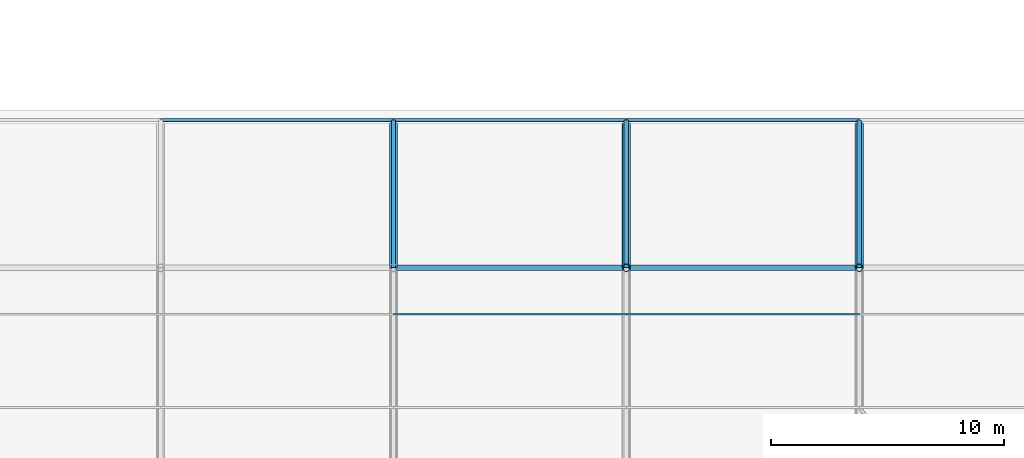
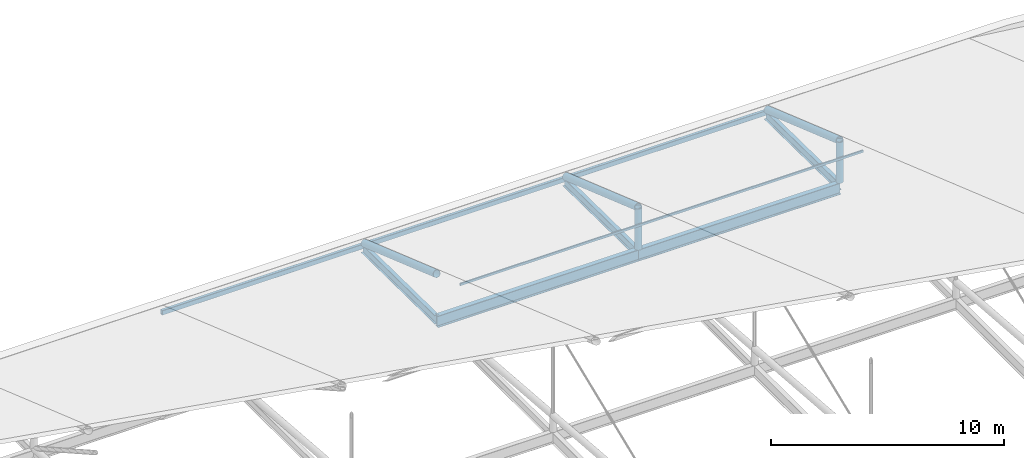
# One storey, part 53 of 93: 8 beams, 7 members.
"""IFC4 building model written with IfcOpenShell, lengths in metres."""

from ifc_helpers import new_model, si_unit, derived_unit, direction, frame, origin, origin_2d_with_axis, place, context, subcontext, project, spatial, hollow_rectangle, hollow_circle, i_section, extrude, material, material_profile, profile_set, type_object, element, save


model = new_model("IFC4")

# Units and contexts
model_context = context("Model", 3, precision=1e-05, world=origin(), true_north=direction((0.0, 1.0)))
body_context = subcontext(model_context, "Body", "Model", "MODEL_VIEW")
ifc_project = project(units=[si_unit("LENGTHUNIT", "METRE"), si_unit("AREAUNIT", "SQUARE_METRE"), si_unit("VOLUMEUNIT", "CUBIC_METRE"), si_unit("PLANEANGLEUNIT", "RADIAN"), si_unit("MASSUNIT", "GRAM", prefix="KILO"), derived_unit("THERMALTRANSMITTANCEUNIT", [(si_unit("POWERUNIT", "WATT"), 1), (si_unit("LENGTHUNIT", "METRE"), -2), (si_unit("THERMODYNAMICTEMPERATUREUNIT", "KELVIN"), -1)])], contexts=[model_context])

# Site, building, storey
site_placement = place(None, origin())
site = spatial("IfcSite", under=ifc_project, at=site_placement, CompositionType="ELEMENT")
building_placement = place(site_placement, origin())
building = spatial("IfcBuilding", under=site, at=building_placement, Name="Cinnabar Yard Market Hall", CompositionType="ELEMENT")
storey_placement = place(building_placement, frame((0.0, 0.0, 23.800048828125)))
storey = spatial("IfcBuildingStorey", under=building, at=storey_placement, Name="ROOF", CompositionType="ELEMENT", Elevation=23.800048828125)

# Beams
ifc_material_1 = material(Name="Steel Grade 350 (350 MPa)", Category="steel")
ifc_material_profile_1 = material_profile(ifc_material_1, i_section(OverallWidth=0.22900390625, OverallDepth=0.611572265625, WebThickness=0.011962890625, FlangeThickness=0.01953125, FilletRadius=0.013916015625, at=origin_2d_with_axis()), Name="610UB125")
ifc_profile_set_1 = profile_set([ifc_material_profile_1], Name="Steel Grade 350 (350 MPa)")
beam_type_1 = type_object("IfcBeamType", Name="BM-B01E", PredefinedType="BEAM", material=ifc_profile_set_1)
for number, where, z_axis, x_axis, name in (
    (1, (116.0, 74.0, -9.705810546875), (1.0, 0.0, 0.0), (0.0, 1.0, 0.0), "North Springer Girder 00363"),
    (2, (126.0, 74.0, -9.705810546875), (1.0, 0.0, 0.0), (0.0, 1.0, 0.0), "North Springer Girder 00365"),
):
    element("IfcBeam", number, at=place(storey_placement, frame(where, z_axis=z_axis, x_axis=x_axis)), inside=storey, type_object=beam_type_1, Name=name, PredefinedType="BEAM", context=body_context, shape_type="SweptSolid", body=[
        extrude(i_section(OverallWidth=0.22900390625, OverallDepth=0.611572265625, WebThickness=0.011962890625, FlangeThickness=0.01953125, FilletRadius=0.013916015625, at=origin_2d_with_axis()), origin(), (0.0, 0.0, 1.0), 10.0),
    ])
ifc_material_2 = material(Name="Steel Grade 300 (300 MPa)", Category="steel")
ifc_material_profile_2 = material_profile(ifc_material_2, i_section(OverallWidth=0.19091796875, OverallDepth=0.46044921875, WebThickness=0.010009765625, FlangeThickness=0.01611328125, FilletRadius=0.011474609375, at=origin_2d_with_axis()), Name="460UB82.1")
ifc_profile_set_2 = profile_set([ifc_material_profile_2], Name="Steel Grade 300 (300 MPa)")
beam_type_2 = type_object("IfcBeamType", Name="BM-RF02E", PredefinedType="BEAM", material=ifc_profile_set_2)
for number, where, z_axis, x_axis, name in (
    (3, (116.0, 74.0, -9.630126953125), (0.0, 0.999920245484, -0.012629436656), (-1.0, 0.0, 0.0), "North Chhajja Cantilever Rafter 00535"),
    (4, (126.0, 74.0, -9.630126953125), (0.0, 0.999920245484, -0.012629436656), (-1.0, 0.0, 0.0), "North Chhajja Cantilever Rafter 00539"),
    (5, (136.0, 74.0, -9.630126953125), (0.0, 0.999920245484, -0.012629436656), (-1.0, 0.0, 0.0), "North Chhajja Cantilever Rafter 00543"),
):
    element("IfcBeam", number, at=place(storey_placement, frame(where, z_axis=z_axis, x_axis=x_axis)), inside=storey, type_object=beam_type_2, Name=name, PredefinedType="BEAM", context=body_context, shape_type="SweptSolid", body=[
        extrude(i_section(OverallWidth=0.19091796875, OverallDepth=0.46044921875, WebThickness=0.010009765625, FlangeThickness=0.01611328125, FilletRadius=0.011474609375, at=origin_2d_with_axis()), origin(), (0.0, 0.0, 1.0), 6.340576171875),
    ])
ifc_material_3 = material(Name="Cold-formed steel C350L0", Category="steel")
ifc_material_profile_3 = material_profile(ifc_material_3, hollow_rectangle(XDim=0.14990234375, YDim=0.25, WallThickness=0.009033203125, InnerFilletRadius=0.009033203125, OuterFilletRadius=0.01806640625, at=origin_2d_with_axis()), Name="250x150x9.0RHS")
ifc_profile_set_3 = profile_set([ifc_material_profile_3], Name="Cold-formed steel C350L0")
beam_type_3 = type_object("IfcBeamType", Name="BM-SP01E", PredefinedType="SPANDREL", material=ifc_profile_set_3)
for number, where, z_axis, x_axis, name in (
    (6, (106.0, 80.340087890625, -9.60498046875), (1.0, 0.0, 0.0), (0.0, 1.0, 0.0), "North Eave Fascia 00553"),
    (7, (116.0, 80.340087890625, -9.60498046875), (1.0, 0.0, 0.0), (0.0, 1.0, 0.0), "North Eave Fascia 00555"),
    (8, (126.0, 80.340087890625, -9.60498046875), (1.0, 0.0, 0.0), (0.0, 1.0, 0.0), "North Eave Fascia 00557"),
):
    element("IfcBeam", number, at=place(storey_placement, frame(where, z_axis=z_axis, x_axis=x_axis)), inside=storey, type_object=beam_type_3, Name=name, PredefinedType="SPANDREL", context=body_context, shape_type="SweptSolid", body=[
        extrude(hollow_rectangle(XDim=0.14990234375, YDim=0.25, WallThickness=0.009033203125, InnerFilletRadius=0.009033203125, OuterFilletRadius=0.01806640625, at=origin_2d_with_axis()), origin(), (0.0, 0.0, 1.0), 10.0),
    ])

# Members
ifc_material_profile_4 = material_profile(ifc_material_3, hollow_rectangle(XDim=0.074951171875, YDim=0.125, WallThickness=0.0048828125, InnerFilletRadius=0.0048828125, OuterFilletRadius=0.010009765625, at=origin_2d_with_axis()), Name="125x75x5.0RHS")
ifc_profile_set_4 = profile_set([ifc_material_profile_4], Name="Cold-formed steel C350L0")
member_type_1 = type_object("IfcMemberType", Name="MB-PU04", PredefinedType="PURLIN", material=ifc_profile_set_4)
for number, where, z_axis, x_axis, name in (
    (9, (116.0, 72.0, -6.5859375), (1.0, 0.0, 0.0), (0.0, 1.0, 0.0), "Hall Roof Purlin Y72 X116"),
    (10, (126.0, 72.0, -6.5859375), (1.0, 0.0, 0.0), (0.0, 1.0, 0.0), "Hall Roof Purlin Y72 X126"),
):
    element("IfcMember", number, at=place(storey_placement, frame(where, z_axis=z_axis, x_axis=x_axis)), inside=storey, type_object=member_type_1, Name=name, PredefinedType="PURLIN", context=body_context, shape_type="SweptSolid", body=[
        extrude(hollow_rectangle(XDim=0.074951171875, YDim=0.125, WallThickness=0.0048828125, InnerFilletRadius=0.0048828125, OuterFilletRadius=0.010009765625, at=origin_2d_with_axis()), origin(), (0.0, 0.0, 1.0), 10.0),
    ])
ifc_material_4 = material(Name="Spotted-gum glulam-clad steel Grade 350 (350 MPa)", Category="steel")
ifc_material_profile_5 = material_profile(ifc_material_4, hollow_circle(Radius=0.161865234375, WallThickness=0.009521484375, at=origin_2d_with_axis()), Name="323.9x9.5CHS")
ifc_profile_set_5 = profile_set([ifc_material_profile_5], Name="Spotted-gum glulam-clad steel Grade 350 (350 MPa)")
member_type_2 = type_object("IfcMemberType", Name="MB-ST01E", PredefinedType="STRUT", material=ifc_profile_set_5)
for number, where, z_axis, x_axis, name in (
    (11, (126.0, 74.0, -9.400146484375), (0.0, 0.0, 1.0), (1.0, 0.0, 0.0), "Truss Bearing Post 126-74"),
    (12, (136.0, 74.0, -9.400146484375), (0.0, 0.0, 1.0), (1.0, 0.0, 0.0), "Truss Bearing Post 136-74"),
):
    element("IfcMember", number, at=place(storey_placement, frame(where, z_axis=z_axis, x_axis=x_axis)), inside=storey, type_object=member_type_2, Name=name, PredefinedType="STRUT", context=body_context, shape_type="SweptSolid", body=[
        extrude(hollow_circle(Radius=0.161865234375, WallThickness=0.009521484375, at=origin_2d_with_axis()), origin(), (0.0, 0.0, 1.0), 2.158203125),
    ])
ifc_material_profile_6 = material_profile(ifc_material_3, hollow_circle(Radius=0.177734375, WallThickness=0.0126953125, at=origin_2d_with_axis()), Name="355.6x12.7CHS")
ifc_profile_set_6 = profile_set([ifc_material_profile_6], Name="Cold-formed steel C350L0")
member_type_3 = type_object("IfcMemberType", Name="MB-TC01E", PredefinedType="CHORD", material=ifc_profile_set_6)
for number, where, z_axis, x_axis, name in (
    (13, (116.0, 74.0, -7.241943359375), (0.0, 0.944416495302, -0.328751400609), (-1.0, 0.0, 0.0), "North Sloped Eave Rafter 116"),
    (14, (126.0, 74.0, -7.241943359375), (0.0, 0.944416495302, -0.328751400609), (-1.0, 0.0, 0.0), "North Sloped Eave Rafter 126"),
    (15, (136.0, 74.0, -7.241943359375), (0.0, 0.944416495302, -0.328751400609), (-1.0, 0.0, 0.0), "North Sloped Eave Rafter 136"),
):
    element("IfcMember", number, at=place(storey_placement, frame(where, z_axis=z_axis, x_axis=x_axis)), inside=storey, type_object=member_type_3, Name=name, PredefinedType="CHORD", context=body_context, shape_type="SweptSolid", body=[
        extrude(hollow_circle(Radius=0.177734375, WallThickness=0.0126953125, at=origin_2d_with_axis()), origin(), (0.0, 0.0, 1.0), 6.56494140625),
    ])

save(model, "model.ifc")
